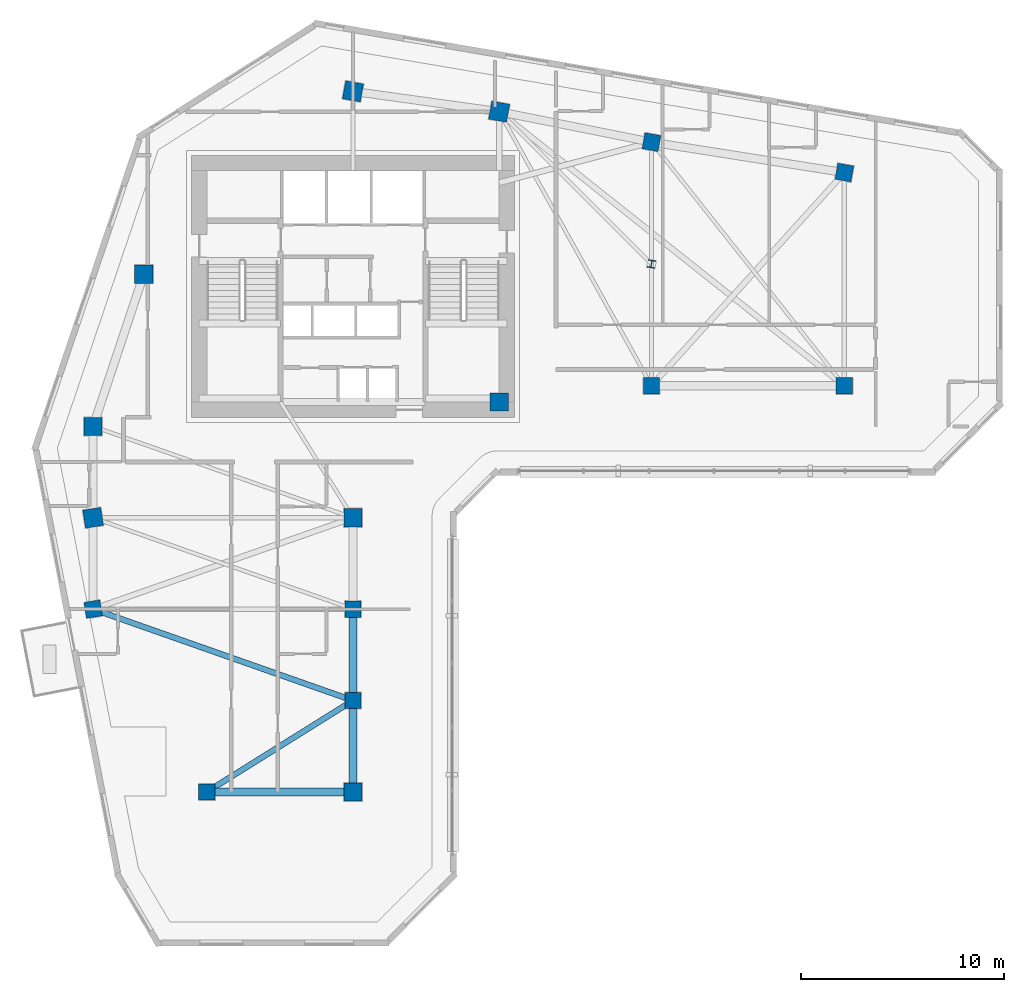
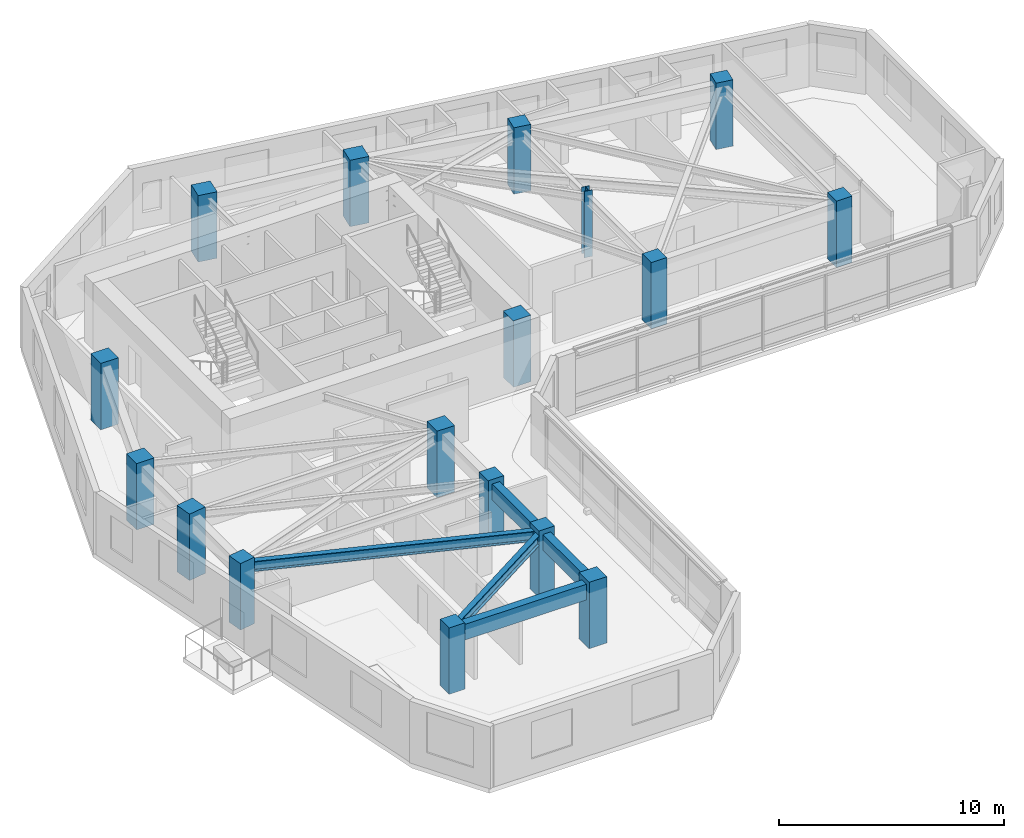
# One storey, part 1 of 11: 17 columns, 5 beams.
"""IFC4 building model written with IfcOpenShell, lengths in metres."""

from ifc_helpers import new_model, si_unit, direction, frame, origin, origin_2d, place, context, subcontext, project, spatial, rectangle, i_section, extrude, source, transform, mapped, material, material_profile, profile_set, type_object, element, save


model = new_model("IFC4")

# Units and contexts
model_context = context("Model", 3, precision=1e-05, world=origin(), true_north=direction((0.0, 1.0)))
body_context = subcontext(model_context, "Body", "Model", "MODEL_VIEW")
ifc_project = project(units=[si_unit("LENGTHUNIT", "METRE"), si_unit("AREAUNIT", "SQUARE_METRE"), si_unit("VOLUMEUNIT", "CUBIC_METRE"), si_unit("PLANEANGLEUNIT", "RADIAN"), si_unit("MASSUNIT", "GRAM", prefix="KILO")], contexts=[model_context])

# Site, building, storey
site_placement = place(None, origin())
site = spatial("IfcSite", under=ifc_project, at=site_placement, CompositionType="ELEMENT")
building_placement = place(site_placement, origin())
building = spatial("IfcBuilding", under=site, at=building_placement, Name="Calvemar Wedge Station Tower", CompositionType="ELEMENT")
storey_placement = place(building_placement, frame((0.0, 0.0, 114.199951171875)))
storey = spatial("IfcBuildingStorey", under=building, at=storey_placement, Name="L27", CompositionType="ELEMENT", Elevation=114.199951171875)

# Columns
ifc_material_1 = material(Name="Concrete C60", Category="concrete")
ifc_material_profile_1 = material_profile(ifc_material_1, rectangle(XDim=0.89990234375, YDim=0.89990234375, at=origin_2d()), Name="RC900x900")
ifc_profile_set_1 = profile_set([ifc_material_profile_1], Name="Concrete C60")
column_type_1 = type_object("IfcColumnType", Name="COL-C5-900", PredefinedType="COLUMN", material=ifc_profile_set_1)
shared_shape_1 = source(origin(), body_context, "Body", "SweptSolid", [
    extrude(rectangle(XDim=0.89990234375, YDim=0.89990234375, at=origin_2d()), origin(), (0.0, 0.0, 1.0), 3.60009765625),
])
for number, where, z_axis, x_axis, name in (
    (1, (11.0, 33.0, 0.0), (0.0, 0.0, 1.0), (1.0, 0.0, 0.0), "Storey L27 Column T-NW1"),
    (2, (13.5, 40.5, 0.0), (0.0, 0.0, 1.0), (1.0, 0.0, 0.0), "Storey L27 Column T-NW2"),
    (3, (23.800048828125, 49.5, 0.0), (0.0, 0.0, 1.0), (0.984195607969, -0.17708474032, 0.0), "Storey L27 Column T-N1"),
    (4, (31.0, 48.5, 0.0), (0.0, 0.0, 1.0), (0.984195607969, -0.17708474032, 0.0), "Storey L27 Column T-N2"),
    (5, (31.0, 34.199951171875, 0.0), (0.0, 0.0, 1.0), (1.0, 0.0, 0.0), "Storey L27 Column T-NL1"),
    (6, (11.0, 28.5, 0.0), (0.0, 0.0, 1.0), (0.158158067254, -0.987413806751, 0.0), "Storey L27 Column T-SW1"),
    (7, (23.800048828125, 28.5, 0.0), (0.0, 0.0, 1.0), (1.0, 0.0, 0.0), "Storey L27 Column T-SE1"),
    (8, (23.800048828125, 15.0, 0.0), (0.0, 0.0, 1.0), (1.0, 0.0, 0.0), "Storey L27 Column T-SE4"),
):
    element("IfcColumn", number, at=place(storey_placement, frame(where, z_axis=z_axis, x_axis=x_axis)), inside=storey, type_object=column_type_1, Name=name, PredefinedType="COLUMN", context=body_context, shape_type="MappedRepresentation", body=[
        mapped(shared_shape_1, transform((0.0, 0.0, 0.0), scale=1.0)),
    ])
ifc_material_2 = material(Name="Concrete C50", Category="concrete")
ifc_material_profile_2 = material_profile(ifc_material_2, rectangle(XDim=0.800048828125, YDim=0.800048828125, at=origin_2d()), Name="RC800x800")
ifc_profile_set_2 = profile_set([ifc_material_profile_2], Name="Concrete C50")
column_type_2 = type_object("IfcColumnType", Name="COL-C6-800", PredefinedType="COLUMN", material=ifc_profile_set_2)
shared_shape_2 = source(origin(), body_context, "Body", "SweptSolid", [
    extrude(rectangle(XDim=0.800048828125, YDim=0.800048828125, at=origin_2d()), origin(), (0.0, 0.0, 1.0), 3.60009765625),
])
for number, where, z_axis, x_axis, name in (
    (9, (38.5, 47.0, 0.0), (0.0, 0.0, 1.0), (0.984195607969, -0.17708474032, 0.0), "Storey L27 Column T-NU3"),
    (10, (48.0, 45.5, 0.0), (0.0, 0.0, 1.0), (0.984195607969, -0.17708474032, 0.0), "Storey L27 Column T-NU4"),
    (11, (38.5, 35.0, 0.0), (0.0, 0.0, 1.0), (1.0, 0.0, 0.0), "Storey L27 Column T-NL2"),
    (12, (48.0, 35.0, 0.0), (0.0, 0.0, 1.0), (1.0, 0.0, 0.0), "Storey L27 Column T-NL3"),
    (13, (11.0, 24.0, 0.0), (0.0, 0.0, 1.0), (0.158158067254, -0.987413806751, 0.0), "Storey L27 Column T-SW2"),
    (14, (23.800048828125, 24.0, 0.0), (0.0, 0.0, 1.0), (1.0, 0.0, 0.0), "Storey L27 Column T-SE2"),
    (15, (23.800048828125, 19.5, 0.0), (0.0, 0.0, 1.0), (1.0, 0.0, 0.0), "Storey L27 Column T-SE3"),
    (16, (16.60009765625, 15.0, 0.0), (0.0, 0.0, 1.0), (1.0, 0.0, 0.0), "Storey L27 Column T-SM1"),
):
    element("IfcColumn", number, at=place(storey_placement, frame(where, z_axis=z_axis, x_axis=x_axis)), inside=storey, type_object=column_type_2, Name=name, PredefinedType="COLUMN", context=body_context, shape_type="MappedRepresentation", body=[
        mapped(shared_shape_2, transform((0.0, 0.0, 0.0), scale=1.0)),
    ])
ifc_material_3 = material(Name="Structural steel ASTM A572 Grade 50", Category="steel")
ifc_material_profile_3 = material_profile(ifc_material_3, i_section(OverallWidth=0.3740234375, OverallDepth=0.3720703125, WebThickness=0.016357421875, FlangeThickness=0.026123046875, FilletRadius=0.014892578125, at=origin_2d()), Name="W360x196")
ifc_profile_set_3 = profile_set([ifc_material_profile_3], Name="Structural steel ASTM A572 Grade 50")
column_type_3 = type_object("IfcColumnType", Name="COL-STL-W360", PredefinedType="COLUMN", material=ifc_profile_set_3)
shared_shape_3 = source(origin(), body_context, "Body", "SweptSolid", [
    extrude(i_section(OverallWidth=0.3740234375, OverallDepth=0.3720703125, WebThickness=0.016357421875, FlangeThickness=0.026123046875, FilletRadius=0.014892578125, at=origin_2d()), origin(), (0.0, 0.0, 1.0), 3.60009765625),
])
column_placement = place(storey_placement, frame((38.5, 41.0, 0.0), z_axis=(0.0, 0.0, 1.0), x_axis=(0.984195607969, -0.17708474032, 0.0)))
element("IfcColumn", 17, at=column_placement, inside=storey, type_object=column_type_3, Name="Storey L27 Column T-NTIP-B", PredefinedType="COLUMN", context=body_context, shape_type="MappedRepresentation", body=[
    mapped(shared_shape_3, transform((0.0, 0.0, 0.0), scale=1.0)),
])

# Beams
ifc_material_profile_4 = material_profile(ifc_material_1, rectangle(XDim=0.39990234375, YDim=0.85009765625, at=origin_2d()), Name="RC400x850")
ifc_profile_set_4 = profile_set([ifc_material_profile_4], Name="Concrete C60")
beam_type_1 = type_object("IfcBeamType", Name="BM-SP1-850", PredefinedType="SPANDREL", material=ifc_profile_set_4)
shared_shape_4 = source(origin(), body_context, "Body", "SweptSolid", [
    extrude(rectangle(XDim=0.39990234375, YDim=0.85009765625, at=origin_2d()), origin(), (0.0, 0.0, 1.0), 4.5),
])
for number, where, z_axis, x_axis, name in (
    (18, (23.800048828125, 24.0, 2.925048828125), (0.0, -1.0, 0.0), (1.0, 0.0, 0.0), "Storey L27 Spandrel T-SE2-T-SE3"),
    (19, (23.800048828125, 19.5, 2.925048828125), (0.0, -1.0, 0.0), (1.0, 0.0, 0.0), "Storey L27 Spandrel T-SE3-T-SE4"),
):
    element("IfcBeam", number, at=place(storey_placement, frame(where, z_axis=z_axis, x_axis=x_axis)), inside=storey, type_object=beam_type_1, Name=name, PredefinedType="SPANDREL", context=body_context, shape_type="MappedRepresentation", body=[
        mapped(shared_shape_4, transform((0.0, 0.0, 0.0), scale=1.0)),
    ])
shared_shape_5 = source(origin(), body_context, "Body", "SweptSolid", [
    extrude(rectangle(XDim=0.39990234375, YDim=0.85009765625, at=origin_2d()), origin(), (0.0, 0.0, 1.0), 7.199951171875),
])
beam_1_placement = place(storey_placement, frame((16.60009765625, 15.0, 2.925048828125), z_axis=(1.0, 0.0, 0.0), x_axis=(0.0, 1.0, 0.0)))
element("IfcBeam", 20, at=beam_1_placement, inside=storey, type_object=beam_type_1, Name="Storey L27 Spandrel T-SM1-T-SE4", PredefinedType="SPANDREL", context=body_context, shape_type="MappedRepresentation", body=[
    mapped(shared_shape_5, transform((0.0, 0.0, 0.0), scale=1.0)),
])
ifc_material_profile_5 = material_profile(ifc_material_3, i_section(OverallWidth=0.279052734375, OverallDepth=0.553955078125, WebThickness=0.017578125, FlangeThickness=0.029541015625, FilletRadius=0.014892578125, at=origin_2d()), Name="W530x196")
ifc_profile_set_5 = profile_set([ifc_material_profile_5], Name="Structural steel ASTM A572 Grade 50")
beam_type_2 = type_object("IfcBeamType", Name="BM-SB3-W530H", PredefinedType="BEAM", material=ifc_profile_set_5)
shared_shape_6 = source(origin(), body_context, "Body", "SweptSolid", [
    extrude(i_section(OverallWidth=0.279052734375, OverallDepth=0.553955078125, WebThickness=0.017578125, FlangeThickness=0.029541015625, FilletRadius=0.014892578125, at=origin_2d()), origin(), (0.0, 0.0, 1.0), 13.568115234375),
])
beam_2_placement = place(storey_placement, frame((11.0, 24.0, 3.072998046875), z_axis=(0.943398221169, -0.331662171939, 0.0), x_axis=(0.331662171939, 0.943398221169, 0.0)))
element("IfcBeam", 21, at=beam_2_placement, inside=storey, type_object=beam_type_2, Name="Storey L27 Floor Beam T-SW2-T-SE3", PredefinedType="BEAM", context=body_context, shape_type="MappedRepresentation", body=[
    mapped(shared_shape_6, transform((0.0, 0.0, 0.0), scale=1.0)),
])
shared_shape_7 = source(origin(), body_context, "Body", "SweptSolid", [
    extrude(i_section(OverallWidth=0.279052734375, OverallDepth=0.553955078125, WebThickness=0.017578125, FlangeThickness=0.029541015625, FilletRadius=0.014892578125, at=origin_2d()), origin(), (0.0, 0.0, 1.0), 8.490478515625),
])
beam_3_placement = place(storey_placement, frame((23.800048828125, 19.5, 3.072998046875), z_axis=(-0.847996688584, -0.530001524668, 0.0), x_axis=(0.530001524668, -0.847996688584, 0.0)))
element("IfcBeam", 22, at=beam_3_placement, inside=storey, type_object=beam_type_2, Name="Storey L27 Floor Beam T-SE3-T-SM1", PredefinedType="BEAM", context=body_context, shape_type="MappedRepresentation", body=[
    mapped(shared_shape_7, transform((0.0, 0.0, 0.0), scale=1.0)),
])

save(model, "model.ifc")
